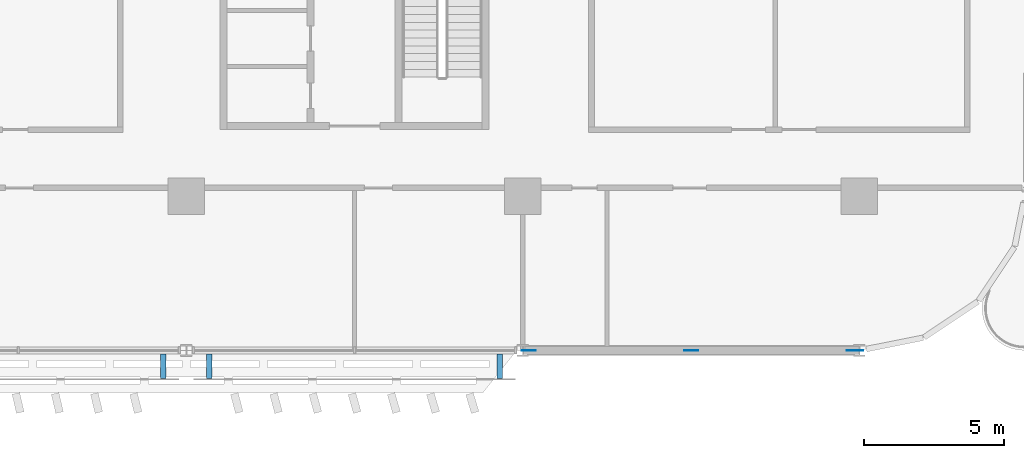
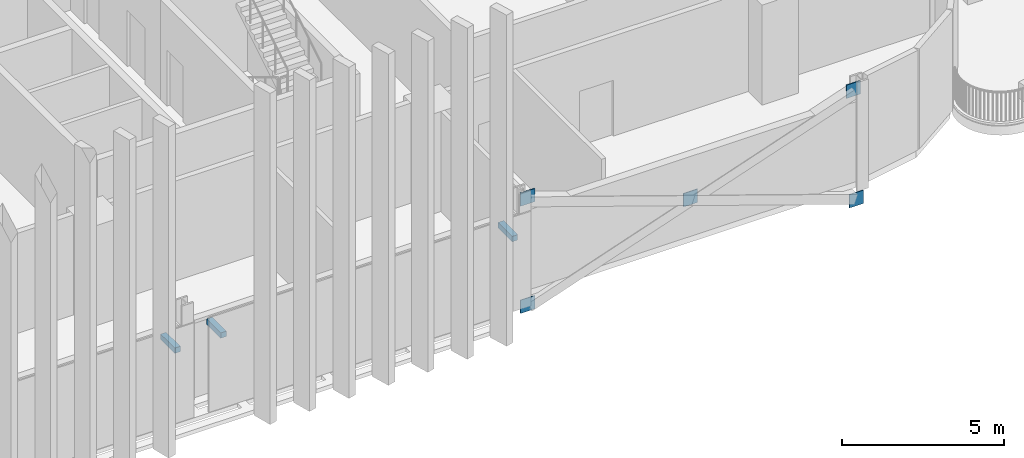
# One storey, part 22 of 33: 8 discrete accessories.
"""IFC4 building model written with IfcOpenShell, lengths in metres."""

from ifc_helpers import new_model, si_unit, direction, frame, origin, origin_2d, place, context, subcontext, project, spatial, rectangle, extrude, material, layer, layer_set, type_object, element, save


model = new_model("IFC4")

# Units and contexts
model_context = context("Model", 3, precision=1e-05, world=origin(), true_north=direction((0.0, 1.0)))
body_context = subcontext(model_context, "Body", "Model", "MODEL_VIEW")
ifc_project = project(units=[si_unit("LENGTHUNIT", "METRE"), si_unit("AREAUNIT", "SQUARE_METRE"), si_unit("VOLUMEUNIT", "CUBIC_METRE"), si_unit("PLANEANGLEUNIT", "RADIAN"), si_unit("MASSUNIT", "GRAM", prefix="KILO")], contexts=[model_context])

# Site, building, storey
site_placement = place(None, origin())
site = spatial("IfcSite", under=ifc_project, at=site_placement, CompositionType="ELEMENT")
building_placement = place(site_placement, origin())
building = spatial("IfcBuilding", under=site, at=building_placement, Name="Mahtab Terrace Research Tower", CompositionType="ELEMENT")
storey_placement = place(building_placement, frame((0.0, 0.0, 122.0)))
storey = spatial("IfcBuildingStorey", under=building, at=storey_placement, Name="L28", CompositionType="ELEMENT", Elevation=122.0)

# Discrete accessories
ifc_material_1 = material(Name="Black anodised aluminium", Category="aluminium")
discrete_accessory_type_1 = type_object("IfcDiscreteAccessoryType", Name="Facade bracket", PredefinedType="BRACKET", material=ifc_material_1)
for number, where, z_axis, x_axis, name in (
    (1, (17.181884765625, -17.5625, 2.703125), (0.0, 0.0, 1.0), (1.0, 0.0, 0.0), "Screen bracket Girih screen L28 S29"),
    (2, (18.818115234375, -17.5625, 2.703125), (0.0, 0.0, 1.0), (1.0, 0.0, 0.0), "Screen bracket Girih screen L28 S30"),
    (3, (29.181884765625, -17.5625, 2.703125), (0.0, 0.0, 1.0), (1.0, 0.0, 0.0), "Screen bracket Girih screen L28 S30"),
):
    element("IfcDiscreteAccessory", number, at=place(storey_placement, frame(where, z_axis=z_axis, x_axis=x_axis)), inside=storey, type_object=discrete_accessory_type_1, Name=name, PredefinedType="BRACKET", context=body_context, shape_type="SweptSolid", body=[
        extrude(rectangle(XDim=0.199951171875, YDim=0.875, at=origin_2d()), origin(), (0.0, 0.0, 1.0), 0.199951171875),
    ])
ifc_material_2 = material(Name="Steel ASTM A992 Gr 50", Category="steel")
ifc_layer = layer(ifc_material_2, 0.030029296875)
ifc_layer_set = layer_set([ifc_layer], Name="Gusset plate 500x500x30")
discrete_accessory_type_2 = type_object("IfcDiscreteAccessoryType", Name="Gusset plate 500x500x30", PredefinedType="USERDEFINED", material=ifc_layer_set)
for number, where, z_axis, x_axis, name in (
    (4, (30.205810546875, -17.0, -0.898193359375), (0.0, 0.0, 1.0), (1.0, 0.0, 0.0), "Gusset plate"),
    (5, (30.205810546875, -17.0, 3.131591796875), (0.0, 0.0, 1.0), (1.0, 0.0, 0.0), "Gusset plate"),
    (6, (36.0, -17.0, 1.08154296875), (0.0, 0.0, 1.0), (1.0, 0.0, 0.0), "Gusset plate"),
    (7, (41.897216796875, -17.0, -1.0234375), (0.0, 0.0, 1.0), (1.0, 0.0, 0.0), "Gusset plate"),
    (8, (41.794189453125, -17.0, 3.131591796875), (0.0, 0.0, 1.0), (1.0, 0.0, 0.0), "Gusset plate"),
):
    element("IfcDiscreteAccessory", number, at=place(storey_placement, frame(where, z_axis=z_axis, x_axis=x_axis)), inside=storey, type_object=discrete_accessory_type_2, Name=name, ObjectType="GUSSET PLATE", PredefinedType="USERDEFINED", context=body_context, shape_type="SweptSolid", body=[
        extrude(rectangle(XDim=0.5, YDim=0.030029296875, at=origin_2d()), origin(), (0.0, 0.0, 1.0), 0.5),
    ])

save(model, "model.ifc")
